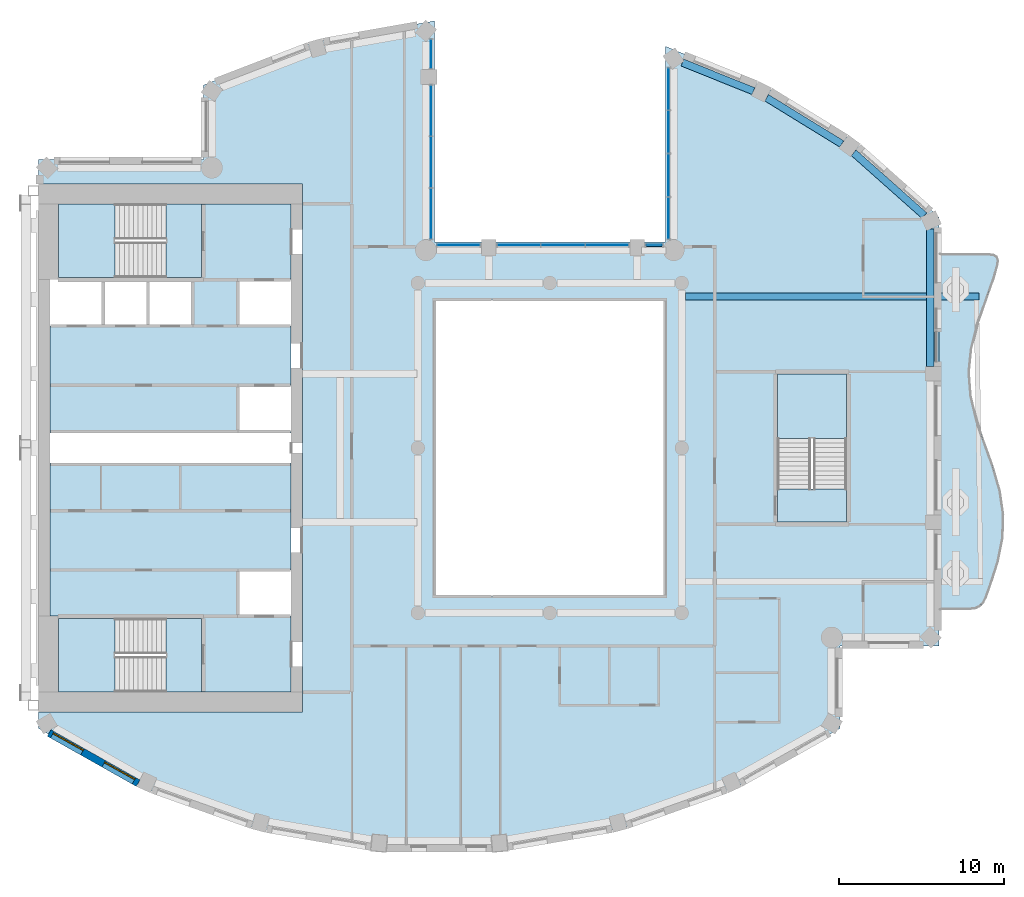
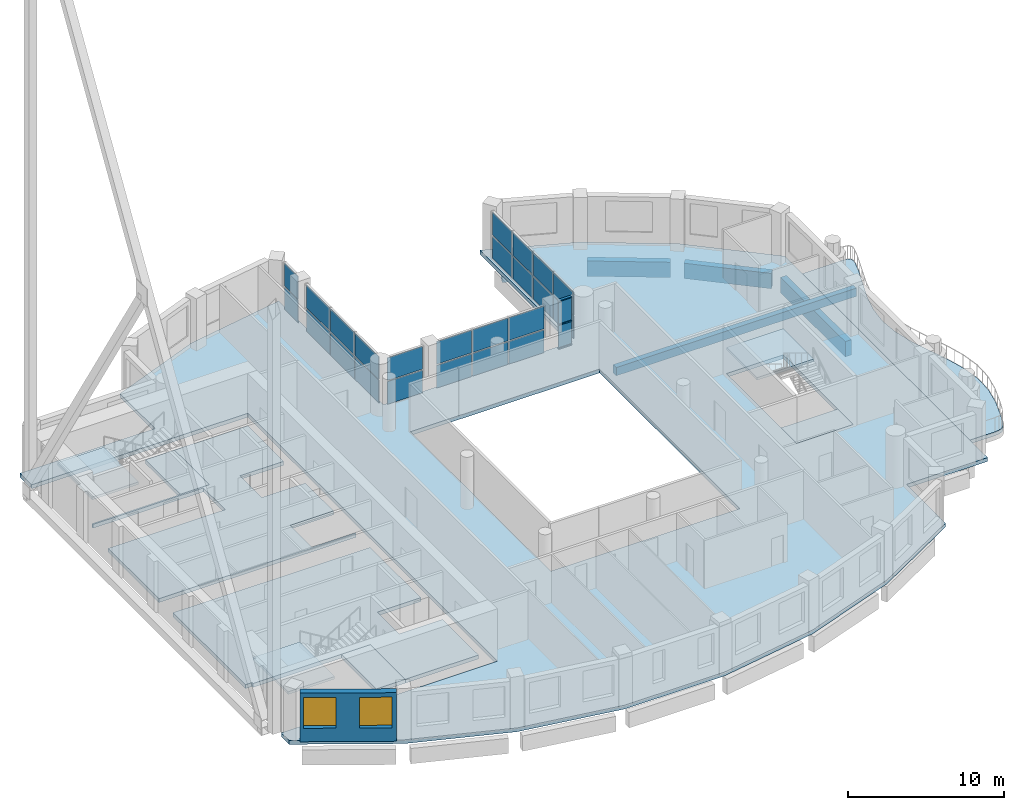
# One storey, part 4 of 18: 26 plates, 10 slabs, 5 beams, 3 members, 2 windows, 1 wall, 2 openings, 9 elements without a shape of their own.
"""IFC4 building model written with IfcOpenShell, lengths in metres."""

from ifc_helpers import new_model, si_unit, direction, frame, frame_2d, origin, origin_2d, place, context, subcontext, project, spatial, polyline, rectangle, outline, extrude, material, layer, layer_set, material_profile, profile_set, type_object, element, fill, aggregate, save


model = new_model("IFC4")

# Units and contexts
model_context = context("Model", 3, precision=1e-05, world=origin(), true_north=direction((0.0, 1.0)))
body_context = subcontext(model_context, "Body", "Model", "MODEL_VIEW")
ifc_project = project(units=[si_unit("LENGTHUNIT", "METRE"), si_unit("AREAUNIT", "SQUARE_METRE"), si_unit("VOLUMEUNIT", "CUBIC_METRE"), si_unit("PLANEANGLEUNIT", "RADIAN"), si_unit("MASSUNIT", "GRAM", prefix="KILO")], contexts=[model_context])

# Site, building, storey
site_placement = place(None, origin())
site = spatial("IfcSite", under=ifc_project, at=site_placement, CompositionType="ELEMENT")
building_placement = place(site_placement, origin())
building = spatial("IfcBuilding", under=site, at=building_placement, Name="Cypress Arch Tower", CompositionType="ELEMENT")
storey_placement = place(building_placement, frame((0.0, 0.0, 288.5)))
storey = spatial("IfcBuildingStorey", under=building, at=storey_placement, Name="L65", CompositionType="ELEMENT", Elevation=288.5)

# Beams
ifc_material_1 = material(Name="Concrete C50/60", Category="concrete")
ifc_material_profile_1 = material_profile(ifc_material_1, rectangle(XDim=0.39990234375, YDim=0.64990234375, at=origin_2d()), Name="RC 400x650")
ifc_profile_set_1 = profile_set([ifc_material_profile_1], Name="Concrete C50/60")
beam_type_1 = type_object("IfcBeamType", Name="Cantilever beam RC 400x650 Concrete C50/60", PredefinedType="BEAM", material=ifc_profile_set_1)
beam_1_placement = place(storey_placement, frame((9.22509765625, 9.1826171875, -0.625), z_axis=(1.0, 0.0, 0.0), x_axis=(0.0, 1.0, 0.0)))
element("IfcBeam", 1, at=beam_1_placement, inside=storey, type_object=beam_type_1, Name="Cantilever beam L65 C17 2", PredefinedType="BEAM", context=body_context, shape_type="SweptSolid", body=[
    extrude(rectangle(XDim=0.39990234375, YDim=0.64990234375, at=origin_2d()), origin(), (0.0, 0.0, 1.0), 17.788330078125),
])
ifc_material_2 = material(Name="Concrete C50/60", Category="concrete")
ifc_material_profile_2 = material_profile(ifc_material_2, rectangle(XDim=0.449951171875, YDim=1.199951171875, at=origin_2d()), Name="RC 450x1200")
ifc_profile_set_2 = profile_set([ifc_material_profile_2], Name="Concrete C50/60")
beam_type_2 = type_object("IfcBeamType", Name="Spandrel beam RC 450x1200 Concrete C50/60", PredefinedType="SPANDREL", material=ifc_profile_set_2)
beam_2_placement = place(storey_placement, frame((24.074951171875, 4.949951171875, -1.550048828125), z_axis=(0.0, 1.0, 0.0), x_axis=(-1.0, 0.0, 0.0)))
element("IfcBeam", 2, at=beam_2_placement, inside=storey, type_object=beam_type_2, Name="Spandrel beam L65 BC17-2", PredefinedType="SPANDREL", context=body_context, shape_type="SweptSolid", body=[
    extrude(rectangle(XDim=0.449951171875, YDim=1.199951171875, at=origin_2d()), origin(), (0.0, 0.0, 1.0), 8.32080078125),
])
beam_3_placement = place(storey_placement, frame((23.706298828125, 14.091796875, -1.550048828125), z_axis=(-0.747555073917, 0.664199827959, 0.0), x_axis=(-0.664199827959, -0.747555073917, 0.0)))
element("IfcBeam", 3, at=beam_3_placement, inside=storey, type_object=beam_type_2, Name="Spandrel beam L65 BC18-0", PredefinedType="SPANDREL", context=body_context, shape_type="SweptSolid", body=[
    extrude(rectangle(XDim=0.449951171875, YDim=1.199951171875, at=origin_2d()), origin(), (0.0, 0.0, 1.0), 5.72900390625),
])
beam_4_placement = place(storey_placement, frame((18.700927734375, 18.43359375, -1.550048828125), z_axis=(-0.851880940975, 0.523735488966, 0.0), x_axis=(-0.523735488966, -0.851880940975, 0.0)))
element("IfcBeam", 4, at=beam_4_placement, inside=storey, type_object=beam_type_2, Name="Spandrel beam L65 BC19-0", PredefinedType="SPANDREL", context=body_context, shape_type="SweptSolid", body=[
    extrude(rectangle(XDim=0.449951171875, YDim=1.199951171875, at=origin_2d()), origin(), (0.0, 0.0, 1.0), 5.344970703125),
])
beam_5_placement = place(storey_placement, frame((13.343994140625, 21.6376953125, -1.550048828125), z_axis=(-0.92793836678, 0.372733668263, 0.0), x_axis=(-0.372733668263, -0.92793836678, 0.0)))
element("IfcBeam", 5, at=beam_5_placement, inside=storey, type_object=beam_type_2, Name="Spandrel beam L65 BC20-0", PredefinedType="SPANDREL", context=body_context, shape_type="SweptSolid", body=[
    extrude(rectangle(XDim=0.449951171875, YDim=1.199951171875, at=origin_2d()), origin(), (0.0, 0.0, 1.0), 4.637451171875),
])

# Curtain wall, members
ifc_material_3 = material(Name="Anodised aluminium, bronze finish, clear laminated double glazing", Category="aluminium")
curtain_wall_type = type_object("IfcCurtainWallType", Name="Curtain wall CW7 slot glazing", PredefinedType="NOTDEFINED", material=ifc_material_3)
curtain_wall_1_placement = place(storey_placement, origin())
curtain_wall_1 = element("IfcCurtainWall", 6, at=curtain_wall_1_placement, inside=storey, type_object=curtain_wall_type, Name="Curtain wall L65 slot C01.0", PredefinedType="NOTDEFINED")
ifc_material_4 = material(Name="Anodised aluminium, bronze finish", Category="aluminium")
ifc_material_profile_3 = material_profile(ifc_material_4, rectangle(XDim=0.179931640625, YDim=0.0849609375, at=origin_2d()), Name="Transom 85x180")
ifc_profile_set_3 = profile_set([ifc_material_profile_3], Name="Anodised aluminium, bronze finish")
member_type = type_object("IfcMemberType", Name="Transom CW7 85x180", PredefinedType="USERDEFINED", material=ifc_profile_set_3)
member_1_placement = place(storey_placement, frame((7.8134765625, 12.300048828125, 0.04248046875), z_axis=(-1.0, 0.0, 0.0), x_axis=(0.0, -1.0, 0.0)))
member_1 = element("IfcMember", 7, at=member_1_placement, type_object=member_type, Name="CW7 transom 1.1", ObjectType="TRANSOM", PredefinedType="USERDEFINED", context=body_context, shape_type="SweptSolid", body=[
    extrude(rectangle(XDim=0.179931640625, YDim=0.0849609375, at=origin_2d()), origin(), (0.0, 0.0, 1.0), 0.978515625),
])
member_2_placement = place(storey_placement, frame((7.8134765625, 12.300048828125, 1.89990234375), z_axis=(-1.0, 0.0, 0.0), x_axis=(0.0, -1.0, 0.0)))
member_2 = element("IfcMember", 8, at=member_2_placement, type_object=member_type, Name="CW7 transom 1.2", ObjectType="TRANSOM", PredefinedType="USERDEFINED", context=body_context, shape_type="SweptSolid", body=[
    extrude(rectangle(XDim=0.179931640625, YDim=0.0849609375, at=origin_2d()), origin(), (0.0, 0.0, 1.0), 0.978515625),
])
member_3_placement = place(storey_placement, frame((7.8134765625, 12.300048828125, 3.757568359375), z_axis=(-1.0, 0.0, 0.0), x_axis=(0.0, -1.0, 0.0)))
member_3 = element("IfcMember", 9, at=member_3_placement, type_object=member_type, Name="CW7 transom 1.3", ObjectType="TRANSOM", PredefinedType="USERDEFINED", context=body_context, shape_type="SweptSolid", body=[
    extrude(rectangle(XDim=0.179931640625, YDim=0.0849609375, at=origin_2d()), origin(), (0.0, 0.0, 1.0), 0.978515625),
])

# Slabs
ifc_material_5 = material(Name="Concrete C40/50", Category="concrete")
ifc_layer_1 = layer(ifc_material_5, 0.300048828125)
ifc_layer_set_1 = layer_set([ifc_layer_1], Name="Balcony slab BS300")
slab_type_1 = type_object("IfcSlabType", Name="Balcony slab BS300", PredefinedType="USERDEFINED", material=ifc_layer_set_1)
slab_1_placement = place(storey_placement, frame((0.0, 0.0, -0.300048828125)))
element("IfcSlab", 10, at=slab_1_placement, inside=storey, type_object=slab_type_1, Name="Balcony slab L65-C17", ObjectType="BALCONY SLAB", PredefinedType="USERDEFINED", context=body_context, shape_type="SweptSolid", body=[
    extrude(outline(polyline([(24.60009765625, -9.75), (26.4921875, -9.75), (26.806884765625, -9.709716796875), (27.065185546875, -9.5888671875), (27.266845703125, -9.38720703125), (27.412109375, -9.10498046875), (27.697998046875, -8.316650390625), (28.1572265625, -6.88330078125), (28.44287109375, -5.449951171875), (28.485107421875, -4.0166015625), (28.273681640625, -2.583251953125), (27.8603515625, -1.14990234375), (27.346435546875, 0.283447265625), (26.85791015625, 1.716552734375), (26.514404296875, 3.14990234375), (26.400390625, 4.583251953125), (26.543701171875, 6.0166015625), (26.9091796875, 7.449951171875), (27.4072265625, 8.88330078125), (27.915771484375, 10.316650390625), (28.132568359375, 11.10498046875), (28.16845703125, 11.38720703125), (28.098388671875, 11.5888671875), (27.922607421875, 11.709716796875), (27.64111328125, 11.75), (24.60009765625, 11.75), (24.60009765625, -9.75)])), origin(), (0.0, 0.0, 1.0), 0.300048828125),
])
ifc_material_6 = material(Name="Concrete C40/50", Category="concrete")
ifc_layer_2 = layer(ifc_material_6, 0.300048828125)
ifc_layer_set_2 = layer_set([ifc_layer_2], Name="Core floor CF300")
slab_type_2 = type_object("IfcSlabType", Name="Core floor CF300", PredefinedType="FLOOR", material=ifc_layer_set_2)
slab_2_placement = place(storey_placement, frame((0.0, 0.0, -0.300048828125)))
element("IfcSlab", 11, at=slab_2_placement, inside=storey, type_object=slab_type_2, Name="Core floor", PredefinedType="FLOOR", context=body_context, shape_type="SweptSolid", body=[
    extrude(outline(polyline([(-28.89990234375, -10.199951171875), (-29.300048828125, -10.199951171875), (-29.300048828125, -0.89990234375), (-28.89990234375, -0.89990234375), (-15.10009765625, -0.89990234375), (-14.699951171875, -0.89990234375), (-14.699951171875, -7.39990234375), (-15.10009765625, -7.39990234375), (-17.919921875, -7.39990234375), (-17.919921875, -10.199951171875), (-15.10009765625, -10.199951171875), (-14.699951171875, -10.199951171875), (-14.699951171875, -14.800048828125), (-15.10009765625, -14.800048828125), (-20.125, -14.800048828125), (-20.125, -10.324951171875), (-22.27490234375, -10.324951171875), (-28.800048828125, -10.324951171875), (-28.800048828125, -10.199951171875), (-28.89990234375, -10.199951171875)])), origin(), (0.0, 0.0, 1.0), 0.300048828125),
])
slab_3_placement = place(storey_placement, frame((0.0, 0.0, -0.300048828125)))
element("IfcSlab", 12, at=slab_3_placement, inside=storey, type_object=slab_type_2, Name="Core floor", PredefinedType="FLOOR", context=body_context, shape_type="SweptSolid", body=[
    extrude(outline(polyline([(-22.27490234375, -10.324951171875), (-22.27490234375, -14.800048828125), (-20.125, -14.800048828125), (-20.125, -10.324951171875), (-22.27490234375, -10.324951171875)])), origin(), (0.0, 0.0, 1.0), 0.300048828125),
])
slab_4_placement = place(storey_placement, frame((0.0, 0.0, -0.300048828125)))
element("IfcSlab", 13, at=slab_4_placement, inside=storey, type_object=slab_type_2, Name="Core floor", PredefinedType="FLOOR", context=body_context, shape_type="SweptSolid", body=[
    extrude(outline(polyline([(-20.125, 14.800048828125), (-22.27490234375, 14.800048828125), (-22.27490234375, 10.324951171875), (-20.125, 10.324951171875), (-20.125, 14.800048828125)])), origin(), (0.0, 0.0, 1.0), 0.300048828125),
])
slab_5_placement = place(storey_placement, frame((0.0, 0.0, -0.300048828125)))
element("IfcSlab", 14, at=slab_5_placement, inside=storey, type_object=slab_type_2, Name="Stair floor landing", PredefinedType="FLOOR", context=body_context, shape_type="SweptSolid", body=[
    extrude(outline(polyline([(19.0, -4.5), (19.0, -2.5), (14.800048828125, -2.5), (14.800048828125, -4.5), (19.0, -4.5)])), origin(), (0.0, 0.0, 1.0), 0.300048828125),
])
slab_6_placement = place(storey_placement, frame((0.0, 0.0, -0.300048828125)))
element("IfcSlab", 15, at=slab_6_placement, inside=storey, type_object=slab_type_2, Name="Core floor", PredefinedType="FLOOR", context=body_context, shape_type="SweptSolid", body=[
    extrude(outline(polyline([(-20.639892578125, 10.199951171875), (-23.360107421875, 10.199951171875), (-26.080078125, 10.199951171875), (-28.800048828125, 10.199951171875), (-28.800048828125, 10.324951171875), (-22.27490234375, 10.324951171875), (-20.125, 10.324951171875), (-20.125, 14.800048828125), (-15.10009765625, 14.800048828125), (-14.699951171875, 14.800048828125), (-14.699951171875, 10.199951171875), (-15.10009765625, 10.199951171875), (-17.919921875, 10.199951171875), (-17.919921875, 7.39990234375), (-15.10009765625, 7.39990234375), (-14.699951171875, 7.39990234375), (-14.699951171875, 3.800048828125), (-15.10009765625, 3.800048828125), (-17.919921875, 3.800048828125), (-17.919921875, 1.5), (-17.919921875, 1.0), (-17.5, 1.0), (-15.10009765625, 1.0), (-14.699951171875, 1.0), (-14.699951171875, 0.89990234375), (-15.10009765625, 0.89990234375), (-17.5, 0.89990234375), (-18.300048828125, 0.89990234375), (-28.89990234375, 0.89990234375), (-29.300048828125, 0.89990234375), (-29.300048828125, 1.5), (-29.300048828125, 7.39990234375), (-28.89990234375, 7.39990234375), (-26.080078125, 7.39990234375), (-23.360107421875, 7.39990234375), (-20.639892578125, 7.39990234375), (-20.639892578125, 10.199951171875)])), origin(), (0.0, 0.0, 1.0), 0.300048828125),
])

# Curtain wall, plates
curtain_wall_2_placement = place(storey_placement, origin())
curtain_wall_2 = element("IfcCurtainWall", 16, at=curtain_wall_2_placement, inside=storey, type_object=curtain_wall_type, Name="Curtain wall L65 slot C00.0", PredefinedType="NOTDEFINED")
ifc_material_7 = material(Name="Clear laminated double glazing", Category="glass")
ifc_layer_3 = layer(ifc_material_7, 0.0439453125)
ifc_layer_set_3 = layer_set([ifc_layer_3], Name="Glass panel CW7 44")
plate_type = type_object("IfcPlateType", Name="Glass panel CW7 44", PredefinedType="CURTAIN_PANEL", material=ifc_layer_set_3)
plate_1_placement = place(storey_placement, frame((8.199951171875, 21.768798828125, 0.0849609375), z_axis=(0.0, 0.0, 1.0), x_axis=(0.0, -1.0, 0.0)))
plate_1 = element("IfcPlate", 17, at=plate_1_placement, type_object=plate_type, Name="CW7 panel 1.1", PredefinedType="CURTAIN_PANEL", context=body_context, shape_type="SweptSolid", body=[
    extrude(rectangle(XDim=2.497802734375, YDim=0.0439453125, at=origin_2d()), origin(), (0.0, 0.0, 1.0), 1.7724609375),
])
plate_2_placement = place(storey_placement, frame((8.199951171875, 21.768798828125, 1.942626953125), z_axis=(0.0, 0.0, 1.0), x_axis=(0.0, -1.0, 0.0)))
plate_2 = element("IfcPlate", 18, at=plate_2_placement, type_object=plate_type, Name="CW7 panel 1.2", PredefinedType="CURTAIN_PANEL", context=body_context, shape_type="SweptSolid", body=[
    extrude(rectangle(XDim=2.497802734375, YDim=0.0439453125, at=origin_2d()), origin(), (0.0, 0.0, 1.0), 1.7724609375),
])
plate_3_placement = place(storey_placement, frame((8.199951171875, 19.164794921875, 0.0849609375), z_axis=(0.0, 0.0, 1.0), x_axis=(0.0, -1.0, 0.0)))
plate_3 = element("IfcPlate", 19, at=plate_3_placement, type_object=plate_type, Name="CW7 panel 2.1", PredefinedType="CURTAIN_PANEL", context=body_context, shape_type="SweptSolid", body=[
    extrude(rectangle(XDim=2.540283203125, YDim=0.0439453125, at=origin_2d()), origin(), (0.0, 0.0, 1.0), 1.7724609375),
])
plate_4_placement = place(storey_placement, frame((8.199951171875, 19.164794921875, 1.942626953125), z_axis=(0.0, 0.0, 1.0), x_axis=(0.0, -1.0, 0.0)))
plate_4 = element("IfcPlate", 20, at=plate_4_placement, type_object=plate_type, Name="CW7 panel 2.2", PredefinedType="CURTAIN_PANEL", context=body_context, shape_type="SweptSolid", body=[
    extrude(rectangle(XDim=2.540283203125, YDim=0.0439453125, at=origin_2d()), origin(), (0.0, 0.0, 1.0), 1.7724609375),
])
plate_5_placement = place(storey_placement, frame((8.199951171875, 16.53955078125, 0.0849609375), z_axis=(0.0, 0.0, 1.0), x_axis=(0.0, -1.0, 0.0)))
plate_5 = element("IfcPlate", 21, at=plate_5_placement, type_object=plate_type, Name="CW7 panel 3.1", PredefinedType="CURTAIN_PANEL", context=body_context, shape_type="SweptSolid", body=[
    extrude(rectangle(XDim=2.540283203125, YDim=0.0439453125, at=origin_2d()), origin(), (0.0, 0.0, 1.0), 1.7724609375),
])
plate_6_placement = place(storey_placement, frame((8.199951171875, 16.53955078125, 1.942626953125), z_axis=(0.0, 0.0, 1.0), x_axis=(0.0, -1.0, 0.0)))
plate_6 = element("IfcPlate", 22, at=plate_6_placement, type_object=plate_type, Name="CW7 panel 3.2", PredefinedType="CURTAIN_PANEL", context=body_context, shape_type="SweptSolid", body=[
    extrude(rectangle(XDim=2.540283203125, YDim=0.0439453125, at=origin_2d()), origin(), (0.0, 0.0, 1.0), 1.7724609375),
])
plate_7_placement = place(storey_placement, frame((8.199951171875, 13.935302734375, 0.0849609375), z_axis=(0.0, 0.0, 1.0), x_axis=(0.0, -1.0, 0.0)))
plate_7 = element("IfcPlate", 23, at=plate_7_placement, type_object=plate_type, Name="CW7 panel 4.1", PredefinedType="CURTAIN_PANEL", context=body_context, shape_type="SweptSolid", body=[
    extrude(rectangle(XDim=2.497802734375, YDim=0.0439453125, at=origin_2d()), origin(), (0.0, 0.0, 1.0), 1.7724609375),
])
plate_8_placement = place(storey_placement, frame((8.199951171875, 13.935302734375, 1.942626953125), z_axis=(0.0, 0.0, 1.0), x_axis=(0.0, -1.0, 0.0)))
plate_8 = element("IfcPlate", 24, at=plate_8_placement, type_object=plate_type, Name="CW7 panel 4.2", PredefinedType="CURTAIN_PANEL", context=body_context, shape_type="SweptSolid", body=[
    extrude(rectangle(XDim=2.497802734375, YDim=0.0439453125, at=origin_2d()), origin(), (0.0, 0.0, 1.0), 1.7724609375),
])
aggregate(curtain_wall_2, [plate_1, plate_2, plate_3, plate_4, plate_5, plate_6, plate_7, plate_8])

# Plate
plate_9_placement = place(storey_placement, frame((7.32421875, 12.300048828125, 0.0849609375), z_axis=(0.0, 0.0, 1.0), x_axis=(-1.0, 0.0, 0.0)))
plate_9 = element("IfcPlate", 25, at=plate_9_placement, type_object=plate_type, Name="CW7 panel 1.1", PredefinedType="CURTAIN_PANEL", context=body_context, shape_type="SweptSolid", body=[
    extrude(rectangle(XDim=0.978515625, YDim=0.0439453125, at=origin_2d()), origin(), (0.0, 0.0, 1.0), 1.7724609375),
])

plate_10_placement = place(storey_placement, frame((7.32421875, 12.300048828125, 1.942626953125), z_axis=(0.0, 0.0, 1.0), x_axis=(-1.0, 0.0, 0.0)))
plate_10 = element("IfcPlate", 26, at=plate_10_placement, type_object=plate_type, Name="CW7 panel 1.2", PredefinedType="CURTAIN_PANEL", context=body_context, shape_type="SweptSolid", body=[
    extrude(rectangle(XDim=0.978515625, YDim=0.0439453125, at=origin_2d()), origin(), (0.0, 0.0, 1.0), 1.7724609375),
])

aggregate(curtain_wall_1, [member_1, member_2, member_3, plate_9, plate_10])

# Curtain wall, plates
curtain_wall_3_placement = place(storey_placement, origin())
curtain_wall_3 = element("IfcCurtainWall", 27, at=curtain_wall_3_placement, inside=storey, type_object=curtain_wall_type, Name="Curtain wall L65 slot C01.1", PredefinedType="NOTDEFINED")
plate_11_placement = place(storey_placement, frame((4.478759765625, 12.300048828125, 0.0849609375), z_axis=(0.0, 0.0, 1.0), x_axis=(-1.0, 0.0, 0.0)))
plate_11 = element("IfcPlate", 28, at=plate_11_placement, type_object=plate_type, Name="CW7 panel 1.1", PredefinedType="CURTAIN_PANEL", context=body_context, shape_type="SweptSolid", body=[
    extrude(rectangle(XDim=2.572509765625, YDim=0.0439453125, at=origin_2d()), origin(), (0.0, 0.0, 1.0), 1.7724609375),
])
plate_12_placement = place(storey_placement, frame((4.478759765625, 12.300048828125, 1.942626953125), z_axis=(0.0, 0.0, 1.0), x_axis=(-1.0, 0.0, 0.0)))
plate_12 = element("IfcPlate", 29, at=plate_12_placement, type_object=plate_type, Name="CW7 panel 1.2", PredefinedType="CURTAIN_PANEL", context=body_context, shape_type="SweptSolid", body=[
    extrude(rectangle(XDim=2.572509765625, YDim=0.0439453125, at=origin_2d()), origin(), (0.0, 0.0, 1.0), 1.7724609375),
])
plate_13_placement = place(storey_placement, frame((1.800048828125, 12.300048828125, 0.0849609375), z_axis=(0.0, 0.0, 1.0), x_axis=(-1.0, 0.0, 0.0)))
plate_13 = element("IfcPlate", 30, at=plate_13_placement, type_object=plate_type, Name="CW7 panel 2.1", PredefinedType="CURTAIN_PANEL", context=body_context, shape_type="SweptSolid", body=[
    extrude(rectangle(XDim=2.614990234375, YDim=0.0439453125, at=origin_2d()), origin(), (0.0, 0.0, 1.0), 1.7724609375),
])
plate_14_placement = place(storey_placement, frame((1.800048828125, 12.300048828125, 1.942626953125), z_axis=(0.0, 0.0, 1.0), x_axis=(-1.0, 0.0, 0.0)))
plate_14 = element("IfcPlate", 31, at=plate_14_placement, type_object=plate_type, Name="CW7 panel 2.2", PredefinedType="CURTAIN_PANEL", context=body_context, shape_type="SweptSolid", body=[
    extrude(rectangle(XDim=2.614990234375, YDim=0.0439453125, at=origin_2d()), origin(), (0.0, 0.0, 1.0), 1.7724609375),
])
plate_15_placement = place(storey_placement, frame((-0.878662109375, 12.300048828125, 0.0849609375), z_axis=(0.0, 0.0, 1.0), x_axis=(-1.0, 0.0, 0.0)))
plate_15 = element("IfcPlate", 32, at=plate_15_placement, type_object=plate_type, Name="CW7 panel 3.1", PredefinedType="CURTAIN_PANEL", context=body_context, shape_type="SweptSolid", body=[
    extrude(rectangle(XDim=2.572509765625, YDim=0.0439453125, at=origin_2d()), origin(), (0.0, 0.0, 1.0), 1.7724609375),
])
plate_16_placement = place(storey_placement, frame((-0.878662109375, 12.300048828125, 1.942626953125), z_axis=(0.0, 0.0, 1.0), x_axis=(-1.0, 0.0, 0.0)))
plate_16 = element("IfcPlate", 33, at=plate_16_placement, type_object=plate_type, Name="CW7 panel 3.2", PredefinedType="CURTAIN_PANEL", context=body_context, shape_type="SweptSolid", body=[
    extrude(rectangle(XDim=2.572509765625, YDim=0.0439453125, at=origin_2d()), origin(), (0.0, 0.0, 1.0), 1.7724609375),
])
aggregate(curtain_wall_3, [plate_11, plate_12, plate_13, plate_14, plate_15, plate_16])

curtain_wall_4_placement = place(storey_placement, origin())
curtain_wall_4 = element("IfcCurtainWall", 34, at=curtain_wall_4_placement, inside=storey, type_object=curtain_wall_type, Name="Curtain wall L65 slot C01.2", PredefinedType="NOTDEFINED")
plate_17_placement = place(storey_placement, frame((-4.524169921875, 12.300048828125, 0.0849609375), z_axis=(0.0, 0.0, 1.0), x_axis=(-1.0, 0.0, 0.0)))
plate_17 = element("IfcPlate", 35, at=plate_17_placement, type_object=plate_type, Name="CW7 panel 1.1", PredefinedType="CURTAIN_PANEL", context=body_context, shape_type="SweptSolid", body=[
    extrude(rectangle(XDim=2.57861328125, YDim=0.0439453125, at=origin_2d()), origin(), (0.0, 0.0, 1.0), 1.7724609375),
])
plate_18_placement = place(storey_placement, frame((-4.524169921875, 12.300048828125, 1.942626953125), z_axis=(0.0, 0.0, 1.0), x_axis=(-1.0, 0.0, 0.0)))
plate_18 = element("IfcPlate", 36, at=plate_18_placement, type_object=plate_type, Name="CW7 panel 1.2", PredefinedType="CURTAIN_PANEL", context=body_context, shape_type="SweptSolid", body=[
    extrude(rectangle(XDim=2.57861328125, YDim=0.0439453125, at=origin_2d()), origin(), (0.0, 0.0, 1.0), 1.7724609375),
])
aggregate(curtain_wall_4, [plate_17, plate_18])

curtain_wall_5_placement = place(storey_placement, origin())
curtain_wall_5 = element("IfcCurtainWall", 37, at=curtain_wall_5_placement, inside=storey, type_object=curtain_wall_type, Name="Curtain wall L65 slot C02.0", PredefinedType="NOTDEFINED")
plate_19_placement = place(storey_placement, frame((-6.199951171875, 14.197509765625, 0.0849609375), z_axis=(0.0, 0.0, 1.0), x_axis=(0.0, 1.0, 0.0)))
plate_19 = element("IfcPlate", 38, at=plate_19_placement, type_object=plate_type, Name="CW7 panel 1.1", PredefinedType="CURTAIN_PANEL", context=body_context, shape_type="SweptSolid", body=[
    extrude(rectangle(XDim=3.02197265625, YDim=0.0439453125, at=origin_2d()), origin(), (0.0, 0.0, 1.0), 1.7724609375),
])
plate_20_placement = place(storey_placement, frame((-6.199951171875, 14.197509765625, 1.942626953125), z_axis=(0.0, 0.0, 1.0), x_axis=(0.0, 1.0, 0.0)))
plate_20 = element("IfcPlate", 39, at=plate_20_placement, type_object=plate_type, Name="CW7 panel 1.2", PredefinedType="CURTAIN_PANEL", context=body_context, shape_type="SweptSolid", body=[
    extrude(rectangle(XDim=3.02197265625, YDim=0.0439453125, at=origin_2d()), origin(), (0.0, 0.0, 1.0), 1.7724609375),
])
plate_21_placement = place(storey_placement, frame((-6.199951171875, 17.32568359375, 0.0849609375), z_axis=(0.0, 0.0, 1.0), x_axis=(0.0, 1.0, 0.0)))
plate_21 = element("IfcPlate", 40, at=plate_21_placement, type_object=plate_type, Name="CW7 panel 2.1", PredefinedType="CURTAIN_PANEL", context=body_context, shape_type="SweptSolid", body=[
    extrude(rectangle(XDim=3.064453125, YDim=0.0439453125, at=origin_2d()), origin(), (0.0, 0.0, 1.0), 1.7724609375),
])
plate_22_placement = place(storey_placement, frame((-6.199951171875, 17.32568359375, 1.942626953125), z_axis=(0.0, 0.0, 1.0), x_axis=(0.0, 1.0, 0.0)))
plate_22 = element("IfcPlate", 41, at=plate_22_placement, type_object=plate_type, Name="CW7 panel 2.2", PredefinedType="CURTAIN_PANEL", context=body_context, shape_type="SweptSolid", body=[
    extrude(rectangle(XDim=3.064453125, YDim=0.0439453125, at=origin_2d()), origin(), (0.0, 0.0, 1.0), 1.7724609375),
])
plate_23_placement = place(storey_placement, frame((-6.199951171875, 20.4541015625, 0.0849609375), z_axis=(0.0, 0.0, 1.0), x_axis=(0.0, 1.0, 0.0)))
plate_23 = element("IfcPlate", 42, at=plate_23_placement, type_object=plate_type, Name="CW7 panel 3.1", PredefinedType="CURTAIN_PANEL", context=body_context, shape_type="SweptSolid", body=[
    extrude(rectangle(XDim=3.02197265625, YDim=0.0439453125, at=origin_2d()), origin(), (0.0, 0.0, 1.0), 1.7724609375),
])
plate_24_placement = place(storey_placement, frame((-6.199951171875, 20.4541015625, 1.942626953125), z_axis=(0.0, 0.0, 1.0), x_axis=(0.0, 1.0, 0.0)))
plate_24 = element("IfcPlate", 43, at=plate_24_placement, type_object=plate_type, Name="CW7 panel 3.2", PredefinedType="CURTAIN_PANEL", context=body_context, shape_type="SweptSolid", body=[
    extrude(rectangle(XDim=3.02197265625, YDim=0.0439453125, at=origin_2d()), origin(), (0.0, 0.0, 1.0), 1.7724609375),
])
aggregate(curtain_wall_5, [plate_19, plate_20, plate_21, plate_22, plate_23, plate_24])

curtain_wall_6_placement = place(storey_placement, origin())
curtain_wall_6 = element("IfcCurtainWall", 44, at=curtain_wall_6_placement, inside=storey, type_object=curtain_wall_type, Name="Curtain wall L65 slot C02.1", PredefinedType="NOTDEFINED")
plate_25_placement = place(storey_placement, frame((-6.199951171875, 23.89111328125, 0.0849609375), z_axis=(0.0, 0.0, 1.0), x_axis=(0.0, 1.0, 0.0)))
plate_25 = element("IfcPlate", 45, at=plate_25_placement, type_object=plate_type, Name="CW7 panel 1.1", PredefinedType="CURTAIN_PANEL", context=body_context, shape_type="SweptSolid", body=[
    extrude(rectangle(XDim=1.71240234375, YDim=0.0439453125, at=origin_2d()), origin(), (0.0, 0.0, 1.0), 1.7724609375),
])
plate_26_placement = place(storey_placement, frame((-6.199951171875, 23.89111328125, 1.942626953125), z_axis=(0.0, 0.0, 1.0), x_axis=(0.0, 1.0, 0.0)))
plate_26 = element("IfcPlate", 46, at=plate_26_placement, type_object=plate_type, Name="CW7 panel 1.2", PredefinedType="CURTAIN_PANEL", context=body_context, shape_type="SweptSolid", body=[
    extrude(rectangle(XDim=1.71240234375, YDim=0.0439453125, at=origin_2d()), origin(), (0.0, 0.0, 1.0), 1.7724609375),
])
aggregate(curtain_wall_6, [plate_25, plate_26])

# Slab
ifc_material_8 = material(Name="Concrete C40/50", Category="concrete")
ifc_layer_4 = layer(ifc_material_8, 0.300048828125)
ifc_layer_set_4 = layer_set([ifc_layer_4], Name="PT flat slab 300 Concrete C40/50")
slab_type_3 = type_object("IfcSlabType", Name="PT flat slab 300 Concrete C40/50", PredefinedType="FLOOR", material=ifc_layer_set_4)
slab_7_placement = place(storey_placement, frame((0.0, 0.0, -0.300048828125)))
element("IfcSlab", 47, at=slab_7_placement, inside=storey, type_object=slab_type_3, Name="Floor slab L65", PredefinedType="FLOOR", context=body_context, shape_type="SweptSolid", body=[
    extrude(outline(polyline([(-30.0, 17.5), (-20.0, 17.5), (-20.0, 22.0), (-13.199951171875, 24.6201171875), (-6.0, 25.889892578125), (-6.0, 12.5), (8.0, 12.5), (8.0, 24.35009765625), (14.0, 21.93994140625), (19.39990234375, 18.6201171875), (24.60009765625, 14.0), (24.60009765625, -12.0), (18.60009765625, -12.0), (18.60009765625, -17.0), (12.179931640625, -20.6201171875), (5.239990234375, -23.090087890625), (-2.02001953125, -24.340087890625), (-9.3798828125, -24.340087890625), (-16.639892578125, -23.090087890625), (-23.580078125, -20.6201171875), (-30.0, -17.0), (-30.0, -16.0), (-14.0, -16.0), (-14.0, 16.0), (-30.0, 16.0), (-30.0, 17.5)]), holes=[polyline([(-6.0, -9.0), (8.0, -9.0), (8.0, 9.0), (-6.0, 9.0), (-6.0, -9.0)]), polyline([(14.800048828125, -4.5), (19.0, -4.5), (19.0, 4.5), (14.800048828125, 4.5), (14.800048828125, -4.5)])]), origin(), (0.0, 0.0, 1.0), 0.300048828125),
])

# Stair, slab
ifc_material_9 = material(Name="Concrete C40/50", Category="concrete")
stair_type_1 = type_object("IfcStairType", Name="Exit stair ES1708-215", PredefinedType="HALF_TURN_STAIR", material=ifc_material_9)
stair_1_placement = place(storey_placement, origin())
stair_1 = element("IfcStair", 48, at=stair_1_placement, inside=storey, type_object=stair_type_1, Name="L65 Exit stair A", PredefinedType="HALF_TURN_STAIR")
ifc_material_10 = material(Name="Concrete C40/50", Category="concrete")
ifc_layer_5 = layer(ifc_material_10, 0.199951171875)
ifc_layer_set_5 = layer_set([ifc_layer_5], Name="Stair landing SL200")
slab_type_4 = type_object("IfcSlabType", Name="Stair landing SL200", PredefinedType="LANDING", material=ifc_layer_set_5)
slab_8_placement = place(storey_placement, frame((0.0, 0.0, 1.85009765625)))
slab_8 = element("IfcSlab", 49, at=slab_8_placement, type_object=slab_type_4, Name="A landing 1", PredefinedType="LANDING", context=body_context, shape_type="SweptSolid", body=[
    extrude(outline(polyline([(-25.35498046875, -10.324951171875), (-28.800048828125, -10.324951171875), (-28.800048828125, -14.800048828125), (-25.35498046875, -14.800048828125), (-25.35498046875, -10.324951171875)])), origin(), (0.0, 0.0, 1.0), 0.199951171875),
])
aggregate(stair_1, [slab_8])

stair_2_placement = place(storey_placement, origin())
stair_2 = element("IfcStair", 50, at=stair_2_placement, inside=storey, type_object=stair_type_1, Name="L65 Exit stair B", PredefinedType="HALF_TURN_STAIR")
slab_9_placement = place(storey_placement, frame((0.0, 0.0, 1.85009765625)))
slab_9 = element("IfcSlab", 51, at=slab_9_placement, type_object=slab_type_4, Name="B landing 1", PredefinedType="LANDING", context=body_context, shape_type="SweptSolid", body=[
    extrude(outline(polyline([(-25.35498046875, 14.800048828125), (-28.800048828125, 14.800048828125), (-28.800048828125, 10.324951171875), (-25.35498046875, 10.324951171875), (-25.35498046875, 14.800048828125)])), origin(), (0.0, 0.0, 1.0), 0.199951171875),
])
aggregate(stair_2, [slab_9])

ifc_material_11 = material(Name="Concrete C40/50", Category="concrete")
stair_type_2 = type_object("IfcStairType", Name="Exit stair ES1708-200", PredefinedType="HALF_TURN_STAIR", material=ifc_material_11)
stair_3_placement = place(storey_placement, origin())
stair_3 = element("IfcStair", 52, at=stair_3_placement, inside=storey, type_object=stair_type_2, Name="L65 Exit stair C", PredefinedType="HALF_TURN_STAIR")
slab_10_placement = place(storey_placement, frame((0.0, 0.0, 1.85009765625)))
slab_10 = element("IfcSlab", 53, at=slab_10_placement, type_object=slab_type_4, Name="C landing 1", PredefinedType="LANDING", context=body_context, shape_type="SweptSolid", body=[
    extrude(outline(polyline([(19.0, 0.580078125), (19.0, 4.5), (14.800048828125, 4.5), (14.800048828125, 0.580078125), (19.0, 0.580078125)])), origin(), (0.0, 0.0, 1.0), 0.199951171875),
])
aggregate(stair_3, [slab_10])

# Wall, openings, windows
ifc_material_12 = material(Name="Brick (red buff blend)", Category="masonry")
ifc_layer_6 = layer(ifc_material_12, 0.449951171875)
ifc_layer_set_6 = layer_set([ifc_layer_6], Name="Brick pier and spandrel wall BW450")
wall_type = type_object("IfcWallType", Name="Brick pier and spandrel wall BW450", PredefinedType="SOLIDWALL", material=ifc_layer_set_6)
wall_placement = place(storey_placement, frame((-29.3564453125, -17.276611328125, 0.0), z_axis=(0.0, 0.0, 1.0), x_axis=(0.871065783524, -0.491166367714, 0.0)))
wall = element("IfcWall", 54, at=wall_placement, inside=storey, type_object=wall_type, Name="Brick wall L65 C08.0", PredefinedType="SOLIDWALL", context=body_context, shape_type="SweptSolid", body=[
    extrude(rectangle(XDim=6.1962890625, YDim=0.449951171875, at=frame_2d((3.09814453125, 0.0))), origin(), (0.0, 0.0, 1.0), 3.800048828125),
])
opening_1_placement = place(wall_placement, frame((0.22119140625, 0.0, 1.050048828125)))
opening_1 = element("IfcOpeningElement", 55, at=opening_1_placement, cuts=wall, Name="Opening W210O", PredefinedType="OPENING", context=body_context, shape_type="SweptSolid", body=[
    extrude(rectangle(XDim=2.10009765625, YDim=2.39990234375, at=frame_2d((1.050048828125, 1.199951171875))), frame((0.0, 0.23486328125, 0.0), z_axis=(0.0, -1.0, 0.0), x_axis=(1.0, 0.0, 0.0)), (0.0, 0.0, 1.0), 0.469970703125),
])
opening_2_placement = place(wall_placement, frame((3.8056640625, 0.0, 1.050048828125)))
opening_2 = element("IfcOpeningElement", 56, at=opening_2_placement, cuts=wall, Name="Opening W210O", PredefinedType="OPENING", context=body_context, shape_type="SweptSolid", body=[
    extrude(rectangle(XDim=2.10009765625, YDim=2.39990234375, at=frame_2d((1.050048828125, 1.199951171875))), frame((0.0, 0.23486328125, 0.0), z_axis=(0.0, -1.0, 0.0), x_axis=(1.0, 0.0, 0.0)), (0.0, 0.0, 1.0), 0.469970703125),
])
ifc_material_13 = material(Name="Anodised aluminium, bronze finish, clear low-emissivity double glazing", Category="aluminium")
window_type = type_object("IfcWindowType", Name="Window Office 2100x2400", PartitioningType="SINGLE_PANEL", PredefinedType="WINDOW", material=ifc_material_13)
window_1_placement = place(opening_1_placement, origin())
window_1 = element("IfcWindow", 57, at=window_1_placement, inside=storey, type_object=window_type, Name="Window L65 C08.0.1", OverallHeight=2.39990234375, OverallWidth=2.10009765625, PartitioningType="SINGLE_PANEL", PredefinedType="WINDOW", context=body_context, shape_type="SweptSolid", body=[
    extrude(rectangle(XDim=2.10009765625, YDim=2.39990234375, at=frame_2d((1.050048828125, 1.199951171875))), frame((0.0, 0.135009765625, 0.0), z_axis=(0.0, -1.0, 0.0), x_axis=(1.0, 0.0, 0.0)), (0.0, 0.0, 1.0), 0.06005859375),
])
fill(opening_1, window_1)
window_2_placement = place(opening_2_placement, origin())
window_2 = element("IfcWindow", 58, at=window_2_placement, inside=storey, type_object=window_type, Name="Window L65 C08.0.2", OverallHeight=2.39990234375, OverallWidth=2.10009765625, PartitioningType="SINGLE_PANEL", PredefinedType="WINDOW", context=body_context, shape_type="SweptSolid", body=[
    extrude(rectangle(XDim=2.10009765625, YDim=2.39990234375, at=frame_2d((1.050048828125, 1.199951171875))), frame((0.0, 0.135009765625, 0.0), z_axis=(0.0, -1.0, 0.0), x_axis=(1.0, 0.0, 0.0)), (0.0, 0.0, 1.0), 0.06005859375),
])
fill(opening_2, window_2)

save(model, "model.ifc")
